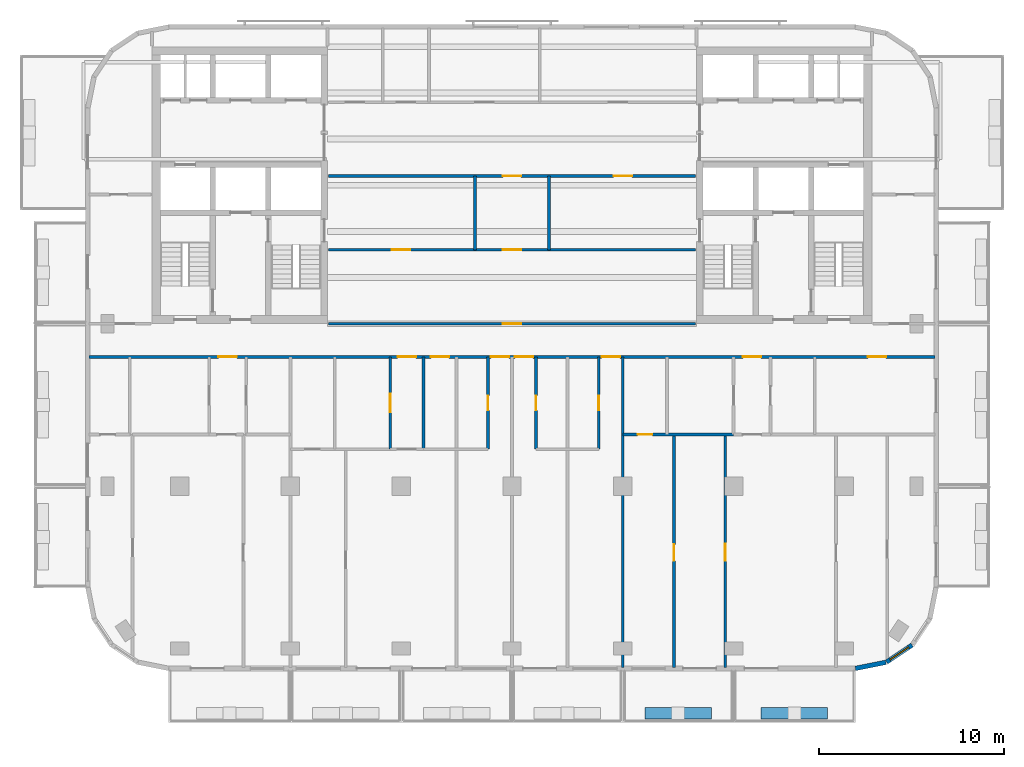
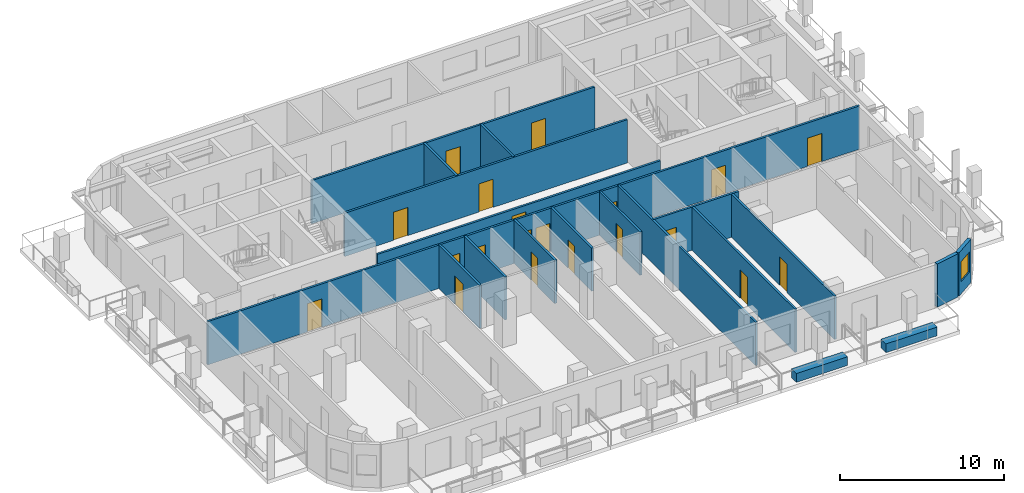
# One storey, part 4 of 11: 20 doors, 19 walls, 1 window, 21 openings.
"""IFC4 building model written with IfcOpenShell, lengths in metres."""

from ifc_helpers import new_model, si_unit, direction, frame, frame_2d, origin, place, context, subcontext, project, spatial, rectangle, extrude, material, layer, layer_set, type_object, element, fill, save


model = new_model("IFC4")

# Units and contexts
model_context = context("Model", 3, precision=1e-05, world=origin(), true_north=direction((0.0, 1.0)))
body_context = subcontext(model_context, "Body", "Model", "MODEL_VIEW")
ifc_project = project(units=[si_unit("LENGTHUNIT", "METRE"), si_unit("AREAUNIT", "SQUARE_METRE"), si_unit("VOLUMEUNIT", "CUBIC_METRE"), si_unit("PLANEANGLEUNIT", "RADIAN"), si_unit("MASSUNIT", "GRAM", prefix="KILO")], contexts=[model_context])

# Site, building, storey
site_placement = place(None, origin())
site = spatial("IfcSite", under=ifc_project, at=site_placement, CompositionType="ELEMENT")
building_placement = place(site_placement, origin())
building = spatial("IfcBuilding", under=site, at=building_placement, Name="Torana Hotel and Residences", CompositionType="ELEMENT")
storey_placement = place(building_placement, frame((0.0, 0.0, 287.60009765625)))
storey = spatial("IfcBuildingStorey", under=building, at=storey_placement, Name="L76", CompositionType="ELEMENT", Elevation=287.60009765625)

# Wall
ifc_material_1 = material(Name="Black aluminium composite panel", Category="aluminium")
ifc_layer_1 = layer(ifc_material_1, 0.00390625, Name="Cladding", Category="cladding")
ifc_material_2 = material(Name="Ventilated air cavity")
ifc_layer_2 = layer(ifc_material_2, 0.0400390625, Name="Ventilated cavity", Category="cavity")
ifc_material_3 = material(Name="Mineral wool insulation")
ifc_layer_3 = layer(ifc_material_3, 0.090087890625, Name="Insulation", Category="insulation")
ifc_material_4 = material(Name="Steel S280GD", Category="steel")
ifc_layer_4 = layer(ifc_material_4, 0.092041015625, Name="Steel stud frame", Category="structure")
ifc_material_5 = material(Name="Fire rated plasterboard")
ifc_layer_5 = layer(ifc_material_5, 0.011962890625, Name="Inner board", Category="finish")
ifc_layer_6 = layer(ifc_material_5, 0.011962890625, Name="Second board", Category="finish")
ifc_layer_set_1 = layer_set([ifc_layer_1, ifc_layer_2, ifc_layer_3, ifc_layer_4, ifc_layer_5, ifc_layer_6], Name="EW1 EXTERNAL WALL BLACK METAL CLAD 250")
wall_type_1 = type_object("IfcWallType", Name="EW1 EXTERNAL WALL BLACK METAL CLAD 250", PredefinedType="SOLIDWALL", material=ifc_layer_set_1)
wall_1_placement = place(storey_placement, frame((18.599853515625, -33.672607421875, 0.0), z_axis=(0.0, 0.0, 1.0), x_axis=(0.980770110232, 0.195166572128, 0.0)))
element("IfcWall", 1, at=wall_1_placement, inside=storey, type_object=wall_type_1, Name="External wall L76 e0.15", PredefinedType="SOLIDWALL", context=body_context, shape_type="SweptSolid", body=[
    extrude(rectangle(XDim=1.68115234375, YDim=0.25, at=frame_2d((0.840576171875, 0.0))), origin(), (0.0, 0.0, 1.0), 3.219970703125),
])

# Wall, opening, window
wall_2_placement = place(storey_placement, frame((20.2939453125, -33.325927734375, 0.0), z_axis=(0.0, 0.0, 1.0), x_axis=(0.831482937015, 0.55555029066, 0.0)))
wall_2 = element("IfcWall", 2, at=wall_2_placement, inside=storey, type_object=wall_type_1, Name="External wall L76 e0.16", PredefinedType="SOLIDWALL", context=body_context, shape_type="SweptSolid", body=[
    extrude(rectangle(XDim=1.65625, YDim=0.25, at=frame_2d((0.828125, 0.0))), origin(), (0.0, 0.0, 1.0), 3.219970703125),
])
opening_1_placement = place(wall_2_placement, frame((0.228271484375, 0.0, 0.89990234375)))
opening_1 = element("IfcOpeningElement", 3, at=opening_1_placement, cuts=wall_2, Name="Opening W5", PredefinedType="OPENING", context=body_context, shape_type="SweptSolid", body=[
    extrude(rectangle(XDim=1.199951171875, YDim=1.5, at=frame_2d((0.60009765625, 0.75))), frame((0.0, 0.135009765625, 0.0), z_axis=(0.0, -1.0, 0.0), x_axis=(1.0, 0.0, 0.0)), (0.0, 0.0, 1.0), 0.27001953125),
])
ifc_material_6 = material(Name="Dark glass in black aluminium frame", Category="aluminium")
window_type = type_object("IfcWindowType", Name="W5 CORNER FACET WINDOW 1200x1500", PartitioningType="SINGLE_PANEL", PredefinedType="WINDOW", material=ifc_material_6)
window_placement = place(opening_1_placement, origin())
window = element("IfcWindow", 4, at=window_placement, inside=storey, type_object=window_type, Name="Window L76 e0.16", OverallHeight=1.5, OverallWidth=1.199951171875, PartitioningType="SINGLE_PANEL", PredefinedType="WINDOW", context=body_context, shape_type="SweptSolid", body=[
    extrude(rectangle(XDim=1.199951171875, YDim=1.5, at=frame_2d((0.60009765625, 0.75))), frame((0.0, 0.030029296875, 0.0), z_axis=(0.0, -1.0, 0.0), x_axis=(1.0, 0.0, 0.0)), (0.0, 0.0, 1.0), 0.06005859375),
])
fill(opening_1, window)

# Walls
ifc_material_7 = material(Name="Gypsum plaster")
ifc_layer_7 = layer(ifc_material_7, 0.014892578125, Name="Plaster", Category="finish")
ifc_material_8 = material(Name="Concrete blockwork", Category="masonry")
ifc_layer_8 = layer(ifc_material_8, 0.1201171875, Name="Blockwork", Category="structure")
ifc_layer_9 = layer(ifc_material_7, 0.014892578125, Name="Plaster", Category="finish")
ifc_layer_set_2 = layer_set([ifc_layer_7, ifc_layer_8, ifc_layer_9], Name="FIRE PARTITION 150 BLOCKWORK")
wall_type_2 = type_object("IfcWallType", Name="FIRE PARTITION 150 BLOCKWORK", PredefinedType="PARTITIONING", material=ifc_layer_set_2)
for number, where, z_axis, x_axis, name in (
    (5, (2.0, -11.0, 0.0), (0.0, 0.0, 1.0), (0.0, 1.0, 0.0), "Partition L76"),
    (6, (-2.0, -11.0, 0.0), (0.0, 0.0, 1.0), (0.0, 1.0, 0.0), "Partition L76"),
):
    element("IfcWall", number, at=place(storey_placement, frame(where, z_axis=z_axis, x_axis=x_axis)), inside=storey, type_object=wall_type_2, Name=name, PredefinedType="PARTITIONING", context=body_context, shape_type="SweptSolid", body=[
        extrude(rectangle(XDim=4.0, YDim=0.14990234375, at=frame_2d((2.0, 0.0))), origin(), (0.0, 0.0, 1.0), 3.219970703125),
    ])
wall_3_placement = place(storey_placement, frame((-4.800048828125, -21.800048828125, 0.0), z_axis=(0.0, 0.0, 1.0), x_axis=(0.0, 1.0, 0.0)))
element("IfcWall", 7, at=wall_3_placement, inside=storey, type_object=wall_type_2, Name="Partition L76", PredefinedType="PARTITIONING", context=body_context, shape_type="SweptSolid", body=[
    extrude(rectangle(XDim=5.0, YDim=0.14990234375, at=frame_2d((2.5, 0.0))), origin(), (0.0, 0.0, 1.0), 3.219970703125),
])

# Wall, opening, door
wall_4_placement = place(storey_placement, frame((-6.60009765625, -21.800048828125, 0.0), z_axis=(0.0, 0.0, 1.0), x_axis=(0.0, 1.0, 0.0)))
wall_4 = element("IfcWall", 8, at=wall_4_placement, inside=storey, type_object=wall_type_2, Name="Partition L76", PredefinedType="PARTITIONING", context=body_context, shape_type="SweptSolid", body=[
    extrude(rectangle(XDim=5.0, YDim=0.14990234375, at=frame_2d((2.5, 0.0))), origin(), (0.0, 0.0, 1.0), 3.219970703125),
])
opening_2_placement = place(wall_4_placement, frame((2.0, 0.0, 0.0)))
opening_2 = element("IfcOpeningElement", 9, at=opening_2_placement, cuts=wall_4, Name="Opening L76-39", PredefinedType="OPENING", context=body_context, shape_type="SweptSolid", body=[
    extrude(rectangle(XDim=1.0, YDim=2.10009765625, at=frame_2d((0.5, 1.050048828125))), frame((0.0, 0.0849609375, 0.0), z_axis=(0.0, -1.0, 0.0), x_axis=(1.0, 0.0, 0.0)), (0.0, 0.0, 1.0), 0.169921875),
])
ifc_material_9 = material(Name="Steel S235", Category="steel")
door_type_1 = type_object("IfcDoorType", Name="ENTRY FIRE DOOR D6 1000x2100", OperationType="SINGLE_SWING_LEFT", PredefinedType="DOOR", material=ifc_material_9)
door_1_placement = place(opening_2_placement, origin())
door_1 = element("IfcDoor", 10, at=door_1_placement, inside=storey, type_object=door_type_1, Name="Door L76", OperationType="SINGLE_SWING_RIGHT", OverallHeight=2.10009765625, OverallWidth=1.0, PredefinedType="DOOR", context=body_context, shape_type="SweptSolid", body=[
    extrude(rectangle(XDim=1.0, YDim=2.10009765625, at=frame_2d((0.5, 1.050048828125))), frame((0.0, 0.02490234375, 0.0), z_axis=(0.0, -1.0, 0.0), x_axis=(1.0, 0.0, 0.0)), (0.0, 0.0, 1.0), 0.050048828125),
])
fill(opening_2, door_1)

# Wall, openings, doors
wall_5_placement = place(storey_placement, frame((-22.919921875, -16.800048828125, 0.0), z_axis=(0.0, 0.0, 1.0), x_axis=(1.0, 0.0, 0.0)))
wall_5 = element("IfcWall", 11, at=wall_5_placement, inside=storey, type_object=wall_type_2, Name="Partition L76", PredefinedType="PARTITIONING", context=body_context, shape_type="SweptSolid", body=[
    extrude(rectangle(XDim=45.83984375, YDim=0.14990234375, at=frame_2d((22.919921875, 0.0))), origin(), (0.0, 0.0, 1.0), 3.219970703125),
])
opening_3_placement = place(wall_5_placement, frame((16.719970703125, 0.0, 0.0)))
opening_3 = element("IfcOpeningElement", 12, at=opening_3_placement, cuts=wall_5, Name="Opening L76-20", PredefinedType="OPENING", context=body_context, shape_type="SweptSolid", body=[
    extrude(rectangle(XDim=1.0, YDim=2.10009765625, at=frame_2d((0.5, 1.050048828125))), frame((0.0, 0.0849609375, 0.0), z_axis=(0.0, -1.0, 0.0), x_axis=(1.0, 0.0, 0.0)), (0.0, 0.0, 1.0), 0.169921875),
])
opening_4_placement = place(wall_5_placement, frame((18.52001953125, 0.0, 0.0)))
opening_4 = element("IfcOpeningElement", 13, at=opening_4_placement, cuts=wall_5, Name="Opening L76-21", PredefinedType="OPENING", context=body_context, shape_type="SweptSolid", body=[
    extrude(rectangle(XDim=1.0, YDim=2.10009765625, at=frame_2d((0.5, 1.050048828125))), frame((0.0, 0.0849609375, 0.0), z_axis=(0.0, -1.0, 0.0), x_axis=(1.0, 0.0, 0.0)), (0.0, 0.0, 1.0), 0.169921875),
])
opening_5_placement = place(wall_5_placement, frame((21.77001953125, 0.0, 0.0)))
opening_5 = element("IfcOpeningElement", 14, at=opening_5_placement, cuts=wall_5, Name="Opening L76-22", PredefinedType="OPENING", context=body_context, shape_type="SweptSolid", body=[
    extrude(rectangle(XDim=1.0, YDim=2.10009765625, at=frame_2d((0.5, 1.050048828125))), frame((0.0, 0.0849609375, 0.0), z_axis=(0.0, -1.0, 0.0), x_axis=(1.0, 0.0, 0.0)), (0.0, 0.0, 1.0), 0.169921875),
])
opening_6_placement = place(wall_5_placement, frame((23.070068359375, 0.0, 0.0)))
opening_6 = element("IfcOpeningElement", 15, at=opening_6_placement, cuts=wall_5, Name="Opening L76-23", PredefinedType="OPENING", context=body_context, shape_type="SweptSolid", body=[
    extrude(rectangle(XDim=1.0, YDim=2.10009765625, at=frame_2d((0.5, 1.050048828125))), frame((0.0, 0.0849609375, 0.0), z_axis=(0.0, -1.0, 0.0), x_axis=(1.0, 0.0, 0.0)), (0.0, 0.0, 1.0), 0.169921875),
])
opening_7_placement = place(wall_5_placement, frame((27.77001953125, 0.0, 0.0)))
opening_7 = element("IfcOpeningElement", 16, at=opening_7_placement, cuts=wall_5, Name="Opening L76-24", PredefinedType="OPENING", context=body_context, shape_type="SweptSolid", body=[
    extrude(rectangle(XDim=1.0, YDim=2.10009765625, at=frame_2d((0.5, 1.050048828125))), frame((0.0, 0.0849609375, 0.0), z_axis=(0.0, -1.0, 0.0), x_axis=(1.0, 0.0, 0.0)), (0.0, 0.0, 1.0), 0.169921875),
])
opening_8_placement = place(wall_5_placement, frame((7.02001953125, 0.0, 0.0)))
opening_8 = element("IfcOpeningElement", 17, at=opening_8_placement, cuts=wall_5, Name="Opening L76-25", PredefinedType="OPENING", context=body_context, shape_type="SweptSolid", body=[
    extrude(rectangle(XDim=1.0, YDim=2.10009765625, at=frame_2d((0.5, 1.050048828125))), frame((0.0, 0.0849609375, 0.0), z_axis=(0.0, -1.0, 0.0), x_axis=(1.0, 0.0, 0.0)), (0.0, 0.0, 1.0), 0.169921875),
])
opening_9_placement = place(wall_5_placement, frame((35.419921875, 0.0, 0.0)))
opening_9 = element("IfcOpeningElement", 18, at=opening_9_placement, cuts=wall_5, Name="Opening L76-26", PredefinedType="OPENING", context=body_context, shape_type="SweptSolid", body=[
    extrude(rectangle(XDim=1.0, YDim=2.10009765625, at=frame_2d((0.5, 1.050048828125))), frame((0.0, 0.0849609375, 0.0), z_axis=(0.0, -1.0, 0.0), x_axis=(1.0, 0.0, 0.0)), (0.0, 0.0, 1.0), 0.169921875),
])
opening_10_placement = place(wall_5_placement, frame((42.18994140625, 0.0, 0.0)))
opening_10 = element("IfcOpeningElement", 19, at=opening_10_placement, cuts=wall_5, Name="Opening L76-27", PredefinedType="OPENING", context=body_context, shape_type="SweptSolid", body=[
    extrude(rectangle(XDim=1.0, YDim=2.10009765625, at=frame_2d((0.5, 1.050048828125))), frame((0.0, 0.0849609375, 0.0), z_axis=(0.0, -1.0, 0.0), x_axis=(1.0, 0.0, 0.0)), (0.0, 0.0, 1.0), 0.169921875),
])
door_2_placement = place(opening_3_placement, origin())
door_2 = element("IfcDoor", 20, at=door_2_placement, inside=storey, type_object=door_type_1, Name="Door L76", OperationType="SINGLE_SWING_RIGHT", OverallHeight=2.10009765625, OverallWidth=1.0, PredefinedType="DOOR", context=body_context, shape_type="SweptSolid", body=[
    extrude(rectangle(XDim=1.0, YDim=2.10009765625, at=frame_2d((0.5, 1.050048828125))), frame((0.0, 0.02490234375, 0.0), z_axis=(0.0, -1.0, 0.0), x_axis=(1.0, 0.0, 0.0)), (0.0, 0.0, 1.0), 0.050048828125),
])
fill(opening_3, door_2)
door_3_placement = place(opening_4_placement, frame((0.5, 0.0, 0.0), z_axis=(0.0, 0.0, 1.0), x_axis=(-1.0, 0.0, 0.0)))
door_3 = element("IfcDoor", 21, at=door_3_placement, inside=storey, type_object=door_type_1, Name="Door L76", OperationType="SINGLE_SWING_LEFT", OverallHeight=2.10009765625, OverallWidth=1.0, PredefinedType="DOOR", context=body_context, shape_type="SweptSolid", body=[
    extrude(rectangle(XDim=1.0, YDim=2.10009765625, at=frame_2d((0.0, 1.050048828125))), frame((0.0, -0.02490234375, 0.0), z_axis=(0.0, 1.0, 0.0), x_axis=(-1.0, 0.0, 0.0)), (0.0, 0.0, 1.0), 0.050048828125),
])
fill(opening_4, door_3)
door_4_placement = place(opening_5_placement, frame((0.5, 0.0, 0.0), z_axis=(0.0, 0.0, 1.0), x_axis=(-1.0, 0.0, 0.0)))
door_4 = element("IfcDoor", 22, at=door_4_placement, inside=storey, type_object=door_type_1, Name="Door L76", OperationType="SINGLE_SWING_LEFT", OverallHeight=2.10009765625, OverallWidth=1.0, PredefinedType="DOOR", context=body_context, shape_type="SweptSolid", body=[
    extrude(rectangle(XDim=1.0, YDim=2.10009765625, at=frame_2d((0.0, 1.050048828125))), frame((0.0, -0.02490234375, 0.0), z_axis=(0.0, 1.0, 0.0), x_axis=(-1.0, 0.0, 0.0)), (0.0, 0.0, 1.0), 0.050048828125),
])
fill(opening_5, door_4)
door_5_placement = place(opening_6_placement, frame((0.5, 0.0, 0.0), z_axis=(0.0, 0.0, 1.0), x_axis=(-1.0, 0.0, 0.0)))
door_5 = element("IfcDoor", 23, at=door_5_placement, inside=storey, type_object=door_type_1, Name="Door L76", OperationType="SINGLE_SWING_LEFT", OverallHeight=2.10009765625, OverallWidth=1.0, PredefinedType="DOOR", context=body_context, shape_type="SweptSolid", body=[
    extrude(rectangle(XDim=1.0, YDim=2.10009765625, at=frame_2d((0.0, 1.050048828125))), frame((0.0, -0.02490234375, 0.0), z_axis=(0.0, 1.0, 0.0), x_axis=(-1.0, 0.0, 0.0)), (0.0, 0.0, 1.0), 0.050048828125),
])
fill(opening_6, door_5)
door_6_placement = place(opening_7_placement, frame((0.5, 0.0, 0.0), z_axis=(0.0, 0.0, 1.0), x_axis=(-1.0, 0.0, 0.0)))
door_6 = element("IfcDoor", 24, at=door_6_placement, inside=storey, type_object=door_type_1, Name="Door L76", OperationType="SINGLE_SWING_LEFT", OverallHeight=2.10009765625, OverallWidth=1.0, PredefinedType="DOOR", context=body_context, shape_type="SweptSolid", body=[
    extrude(rectangle(XDim=1.0, YDim=2.10009765625, at=frame_2d((0.0, 1.050048828125))), frame((0.0, -0.02490234375, 0.0), z_axis=(0.0, 1.0, 0.0), x_axis=(-1.0, 0.0, 0.0)), (0.0, 0.0, 1.0), 0.050048828125),
])
fill(opening_7, door_6)
door_7_placement = place(opening_8_placement, origin())
door_7 = element("IfcDoor", 25, at=door_7_placement, inside=storey, type_object=door_type_1, Name="Door L76", OperationType="SINGLE_SWING_RIGHT", OverallHeight=2.10009765625, OverallWidth=1.0, PredefinedType="DOOR", context=body_context, shape_type="SweptSolid", body=[
    extrude(rectangle(XDim=1.0, YDim=2.10009765625, at=frame_2d((0.5, 1.050048828125))), frame((0.0, 0.02490234375, 0.0), z_axis=(0.0, -1.0, 0.0), x_axis=(1.0, 0.0, 0.0)), (0.0, 0.0, 1.0), 0.050048828125),
])
fill(opening_8, door_7)
door_8_placement = place(opening_9_placement, origin())
door_8 = element("IfcDoor", 26, at=door_8_placement, inside=storey, type_object=door_type_1, Name="Door L76", OperationType="SINGLE_SWING_RIGHT", OverallHeight=2.10009765625, OverallWidth=1.0, PredefinedType="DOOR", context=body_context, shape_type="SweptSolid", body=[
    extrude(rectangle(XDim=1.0, YDim=2.10009765625, at=frame_2d((0.5, 1.050048828125))), frame((0.0, 0.02490234375, 0.0), z_axis=(0.0, -1.0, 0.0), x_axis=(1.0, 0.0, 0.0)), (0.0, 0.0, 1.0), 0.050048828125),
])
fill(opening_9, door_8)
door_9_placement = place(opening_10_placement, frame((0.5, 0.0, 0.0), z_axis=(0.0, 0.0, 1.0), x_axis=(-1.0, 0.0, 0.0)))
door_9 = element("IfcDoor", 27, at=door_9_placement, inside=storey, type_object=door_type_1, Name="Door L76", OperationType="SINGLE_SWING_LEFT", OverallHeight=2.10009765625, OverallWidth=1.0, PredefinedType="DOOR", context=body_context, shape_type="SweptSolid", body=[
    extrude(rectangle(XDim=1.0, YDim=2.10009765625, at=frame_2d((0.0, 1.050048828125))), frame((0.0, -0.02490234375, 0.0), z_axis=(0.0, 1.0, 0.0), x_axis=(-1.0, 0.0, 0.0)), (0.0, 0.0, 1.0), 0.050048828125),
])
fill(opening_10, door_9)

# Wall, opening, door
wall_6_placement = place(storey_placement, frame((-9.949951171875, -15.0, 0.0), z_axis=(0.0, 0.0, 1.0), x_axis=(1.0, 0.0, 0.0)))
wall_6 = element("IfcWall", 28, at=wall_6_placement, inside=storey, type_object=wall_type_2, Name="Partition L76", PredefinedType="PARTITIONING", context=body_context, shape_type="SweptSolid", body=[
    extrude(rectangle(XDim=19.89990234375, YDim=0.14990234375, at=frame_2d((9.949951171875, 0.0))), origin(), (0.0, 0.0, 1.0), 2.583984375),
])
opening_11_placement = place(wall_6_placement, frame((9.449951171875, 0.0, 0.0)))
opening_11 = element("IfcOpeningElement", 29, at=opening_11_placement, cuts=wall_6, Name="Opening L76-19", PredefinedType="OPENING", context=body_context, shape_type="SweptSolid", body=[
    extrude(rectangle(XDim=1.0, YDim=2.10009765625, at=frame_2d((0.5, 1.050048828125))), frame((0.0, 0.0849609375, 0.0), z_axis=(0.0, -1.0, 0.0), x_axis=(1.0, 0.0, 0.0)), (0.0, 0.0, 1.0), 0.169921875),
])
door_10_placement = place(opening_11_placement, origin())
door_10 = element("IfcDoor", 30, at=door_10_placement, inside=storey, type_object=door_type_1, Name="Door L76", OperationType="SINGLE_SWING_RIGHT", OverallHeight=2.10009765625, OverallWidth=1.0, PredefinedType="DOOR", context=body_context, shape_type="SweptSolid", body=[
    extrude(rectangle(XDim=1.0, YDim=2.10009765625, at=frame_2d((0.5, 1.050048828125))), frame((0.0, 0.02490234375, 0.0), z_axis=(0.0, -1.0, 0.0), x_axis=(1.0, 0.0, 0.0)), (0.0, 0.0, 1.0), 0.050048828125),
])
fill(opening_11, door_10)

# Wall, openings, doors
wall_7_placement = place(storey_placement, frame((-9.949951171875, -11.0, 0.0), z_axis=(0.0, 0.0, 1.0), x_axis=(1.0, 0.0, 0.0)))
wall_7 = element("IfcWall", 31, at=wall_7_placement, inside=storey, type_object=wall_type_2, Name="Partition L76", PredefinedType="PARTITIONING", context=body_context, shape_type="SweptSolid", body=[
    extrude(rectangle(XDim=19.89990234375, YDim=0.14990234375, at=frame_2d((9.949951171875, 0.0))), origin(), (0.0, 0.0, 1.0), 3.219970703125),
])
opening_12_placement = place(wall_7_placement, frame((9.449951171875, 0.0, 0.0)))
opening_12 = element("IfcOpeningElement", 32, at=opening_12_placement, cuts=wall_7, Name="Opening L76-30", PredefinedType="OPENING", context=body_context, shape_type="SweptSolid", body=[
    extrude(rectangle(XDim=1.0, YDim=2.10009765625, at=frame_2d((0.5, 1.050048828125))), frame((0.0, 0.0849609375, 0.0), z_axis=(0.0, -1.0, 0.0), x_axis=(1.0, 0.0, 0.0)), (0.0, 0.0, 1.0), 0.169921875),
])
opening_13_placement = place(wall_7_placement, frame((3.449951171875, 0.0, 0.0)))
opening_13 = element("IfcOpeningElement", 33, at=opening_13_placement, cuts=wall_7, Name="Opening L76-31", PredefinedType="OPENING", context=body_context, shape_type="SweptSolid", body=[
    extrude(rectangle(XDim=1.0, YDim=2.10009765625, at=frame_2d((0.5, 1.050048828125))), frame((0.0, 0.0849609375, 0.0), z_axis=(0.0, -1.0, 0.0), x_axis=(1.0, 0.0, 0.0)), (0.0, 0.0, 1.0), 0.169921875),
])
door_11_placement = place(opening_12_placement, origin())
door_11 = element("IfcDoor", 34, at=door_11_placement, inside=storey, type_object=door_type_1, Name="Door L76", OperationType="SINGLE_SWING_RIGHT", OverallHeight=2.10009765625, OverallWidth=1.0, PredefinedType="DOOR", context=body_context, shape_type="SweptSolid", body=[
    extrude(rectangle(XDim=1.0, YDim=2.10009765625, at=frame_2d((0.5, 1.050048828125))), frame((0.0, 0.02490234375, 0.0), z_axis=(0.0, -1.0, 0.0), x_axis=(1.0, 0.0, 0.0)), (0.0, 0.0, 1.0), 0.050048828125),
])
fill(opening_12, door_11)
door_12_placement = place(opening_13_placement, origin())
door_12 = element("IfcDoor", 35, at=door_12_placement, inside=storey, type_object=door_type_1, Name="Door L76", OperationType="SINGLE_SWING_RIGHT", OverallHeight=2.10009765625, OverallWidth=1.0, PredefinedType="DOOR", context=body_context, shape_type="SweptSolid", body=[
    extrude(rectangle(XDim=1.0, YDim=2.10009765625, at=frame_2d((0.5, 1.050048828125))), frame((0.0, 0.02490234375, 0.0), z_axis=(0.0, -1.0, 0.0), x_axis=(1.0, 0.0, 0.0)), (0.0, 0.0, 1.0), 0.050048828125),
])
fill(opening_13, door_12)

wall_8_placement = place(storey_placement, frame((-9.949951171875, -7.0, 0.0), z_axis=(0.0, 0.0, 1.0), x_axis=(1.0, 0.0, 0.0)))
wall_8 = element("IfcWall", 36, at=wall_8_placement, inside=storey, type_object=wall_type_2, Name="Partition L76", PredefinedType="PARTITIONING", context=body_context, shape_type="SweptSolid", body=[
    extrude(rectangle(XDim=19.89990234375, YDim=0.14990234375, at=frame_2d((9.949951171875, 0.0))), origin(), (0.0, 0.0, 1.0), 3.219970703125),
])
opening_14_placement = place(wall_8_placement, frame((9.449951171875, 0.0, 0.0)))
opening_14 = element("IfcOpeningElement", 37, at=opening_14_placement, cuts=wall_8, Name="Opening L76-32", PredefinedType="OPENING", context=body_context, shape_type="SweptSolid", body=[
    extrude(rectangle(XDim=1.0, YDim=2.10009765625, at=frame_2d((0.5, 1.050048828125))), frame((0.0, 0.0849609375, 0.0), z_axis=(0.0, -1.0, 0.0), x_axis=(1.0, 0.0, 0.0)), (0.0, 0.0, 1.0), 0.169921875),
])
opening_15_placement = place(wall_8_placement, frame((15.449951171875, 0.0, 0.0)))
opening_15 = element("IfcOpeningElement", 38, at=opening_15_placement, cuts=wall_8, Name="Opening L76-33", PredefinedType="OPENING", context=body_context, shape_type="SweptSolid", body=[
    extrude(rectangle(XDim=1.0, YDim=2.10009765625, at=frame_2d((0.5, 1.050048828125))), frame((0.0, 0.0849609375, 0.0), z_axis=(0.0, -1.0, 0.0), x_axis=(1.0, 0.0, 0.0)), (0.0, 0.0, 1.0), 0.169921875),
])
door_13_placement = place(opening_14_placement, origin())
door_13 = element("IfcDoor", 39, at=door_13_placement, inside=storey, type_object=door_type_1, Name="Door L76", OperationType="SINGLE_SWING_RIGHT", OverallHeight=2.10009765625, OverallWidth=1.0, PredefinedType="DOOR", context=body_context, shape_type="SweptSolid", body=[
    extrude(rectangle(XDim=1.0, YDim=2.10009765625, at=frame_2d((0.5, 1.050048828125))), frame((0.0, 0.02490234375, 0.0), z_axis=(0.0, -1.0, 0.0), x_axis=(1.0, 0.0, 0.0)), (0.0, 0.0, 1.0), 0.050048828125),
])
fill(opening_14, door_13)
door_14_placement = place(opening_15_placement, frame((0.5, 0.0, 0.0), z_axis=(0.0, 0.0, 1.0), x_axis=(-1.0, 0.0, 0.0)))
door_14 = element("IfcDoor", 40, at=door_14_placement, inside=storey, type_object=door_type_1, Name="Door L76", OperationType="SINGLE_SWING_LEFT", OverallHeight=2.10009765625, OverallWidth=1.0, PredefinedType="DOOR", context=body_context, shape_type="SweptSolid", body=[
    extrude(rectangle(XDim=1.0, YDim=2.10009765625, at=frame_2d((0.0, 1.050048828125))), frame((0.0, -0.02490234375, 0.0), z_axis=(0.0, 1.0, 0.0), x_axis=(-1.0, 0.0, 0.0)), (0.0, 0.0, 1.0), 0.050048828125),
])
fill(opening_15, door_14)

# Wall, opening, door
ifc_material_10 = material(Name="Gypsum plasterboard")
ifc_layer_10 = layer(ifc_material_10, 0.012451171875, Name="Plasterboard", Category="finish")
ifc_layer_11 = layer(ifc_material_10, 0.012451171875, Name="Plasterboard", Category="finish")
ifc_layer_12 = layer(ifc_material_4, 0.10009765625, Name="Steel studs with mineral wool", Category="insulation")
ifc_layer_13 = layer(ifc_material_10, 0.012451171875, Name="Plasterboard", Category="finish")
ifc_layer_14 = layer(ifc_material_10, 0.012451171875, Name="Plasterboard", Category="finish")
ifc_layer_set_3 = layer_set([ifc_layer_10, ifc_layer_11, ifc_layer_12, ifc_layer_13, ifc_layer_14], Name="PARTITION 150 PLASTERBOARD")
wall_type_3 = type_object("IfcWallType", Name="PARTITION 150 PLASTERBOARD", PredefinedType="PARTITIONING", material=ifc_layer_set_3)
wall_9_placement = place(storey_placement, frame((11.550048828125, -33.6201171875, 0.0), z_axis=(0.0, 0.0, 1.0), x_axis=(0.0, 1.0, 0.0)))
wall_9 = element("IfcWall", 41, at=wall_9_placement, inside=storey, type_object=wall_type_3, Name="Partition L76", PredefinedType="PARTITIONING", context=body_context, shape_type="SweptSolid", body=[
    extrude(rectangle(XDim=12.6201171875, YDim=0.14990234375, at=frame_2d((6.31005859375, 0.0))), origin(), (0.0, 0.0, 1.0), 3.219970703125),
])
opening_16_placement = place(wall_9_placement, frame((5.7900390625, 0.0, 0.0)))
opening_16 = element("IfcOpeningElement", 42, at=opening_16_placement, cuts=wall_9, Name="Opening L76-55", PredefinedType="OPENING", context=body_context, shape_type="SweptSolid", body=[
    extrude(rectangle(XDim=0.89990234375, YDim=2.10009765625, at=frame_2d((0.449951171875, 1.050048828125))), frame((0.0, 0.0849609375, 0.0), z_axis=(0.0, -1.0, 0.0), x_axis=(1.0, 0.0, 0.0)), (0.0, 0.0, 1.0), 0.169921875),
])
ifc_material_11 = material(Name="Timber door, oiled ash", Category="wood")
door_type_2 = type_object("IfcDoorType", Name="ROOM DOOR D7 900x2100", OperationType="SINGLE_SWING_LEFT", PredefinedType="DOOR", material=ifc_material_11)
door_15_placement = place(opening_16_placement, origin())
door_15 = element("IfcDoor", 43, at=door_15_placement, inside=storey, type_object=door_type_2, Name="Door L76", OperationType="SINGLE_SWING_RIGHT", OverallHeight=2.10009765625, OverallWidth=0.89990234375, PredefinedType="DOOR", context=body_context, shape_type="SweptSolid", body=[
    extrude(rectangle(XDim=0.89990234375, YDim=2.10009765625, at=frame_2d((0.449951171875, 1.050048828125))), frame((0.0, 0.02490234375, 0.0), z_axis=(0.0, -1.0, 0.0), x_axis=(1.0, 0.0, 0.0)), (0.0, 0.0, 1.0), 0.050048828125),
])
fill(opening_16, door_15)

wall_10_placement = place(storey_placement, frame((8.77490234375, -33.6201171875, 0.0), z_axis=(0.0, 0.0, 1.0), x_axis=(0.0, 1.0, 0.0)))
wall_10 = element("IfcWall", 44, at=wall_10_placement, inside=storey, type_object=wall_type_3, Name="Partition L76", PredefinedType="PARTITIONING", context=body_context, shape_type="SweptSolid", body=[
    extrude(rectangle(XDim=12.6201171875, YDim=0.14990234375, at=frame_2d((6.31005859375, 0.0))), origin(), (0.0, 0.0, 1.0), 3.219970703125),
])
opening_17_placement = place(wall_10_placement, frame((5.77001953125, 0.0, 0.0)))
opening_17 = element("IfcOpeningElement", 45, at=opening_17_placement, cuts=wall_10, Name="Opening L76-57", PredefinedType="OPENING", context=body_context, shape_type="SweptSolid", body=[
    extrude(rectangle(XDim=0.89990234375, YDim=2.10009765625, at=frame_2d((0.449951171875, 1.050048828125))), frame((0.0, 0.0849609375, 0.0), z_axis=(0.0, -1.0, 0.0), x_axis=(1.0, 0.0, 0.0)), (0.0, 0.0, 1.0), 0.169921875),
])
door_16_placement = place(opening_17_placement, origin())
door_16 = element("IfcDoor", 46, at=door_16_placement, inside=storey, type_object=door_type_2, Name="Door L76", OperationType="SINGLE_SWING_RIGHT", OverallHeight=2.10009765625, OverallWidth=0.89990234375, PredefinedType="DOOR", context=body_context, shape_type="SweptSolid", body=[
    extrude(rectangle(XDim=0.89990234375, YDim=2.10009765625, at=frame_2d((0.449951171875, 1.050048828125))), frame((0.0, 0.02490234375, 0.0), z_axis=(0.0, -1.0, 0.0), x_axis=(1.0, 0.0, 0.0)), (0.0, 0.0, 1.0), 0.050048828125),
])
fill(opening_17, door_16)

# Wall
wall_11_placement = place(storey_placement, frame((6.0, -33.6201171875, 0.0), z_axis=(0.0, 0.0, 1.0), x_axis=(0.0, 1.0, 0.0)))
element("IfcWall", 47, at=wall_11_placement, inside=storey, type_object=wall_type_3, Name="Partition L76", PredefinedType="PARTITIONING", context=body_context, shape_type="SweptSolid", body=[
    extrude(rectangle(XDim=16.820068359375, YDim=0.14990234375, at=frame_2d((8.41015625, 0.0))), origin(), (0.0, 0.0, 1.0), 3.219970703125),
])

# Wall, opening, door
wall_12_placement = place(storey_placement, frame((4.699951171875, -21.800048828125, 0.0), z_axis=(0.0, 0.0, 1.0), x_axis=(0.0, 1.0, 0.0)))
wall_12 = element("IfcWall", 48, at=wall_12_placement, inside=storey, type_object=wall_type_3, Name="Partition L76", PredefinedType="PARTITIONING", context=body_context, shape_type="SweptSolid", body=[
    extrude(rectangle(XDim=5.0, YDim=0.14990234375, at=frame_2d((2.5, 0.0))), origin(), (0.0, 0.0, 1.0), 3.219970703125),
])
opening_18_placement = place(wall_12_placement, frame((2.10009765625, 0.0, 0.0)))
opening_18 = element("IfcOpeningElement", 49, at=opening_18_placement, cuts=wall_12, Name="Opening L76-44", PredefinedType="OPENING", context=body_context, shape_type="SweptSolid", body=[
    extrude(rectangle(XDim=0.800048828125, YDim=2.10009765625, at=frame_2d((0.39990234375, 1.050048828125))), frame((0.0, 0.0849609375, 0.0), z_axis=(0.0, -1.0, 0.0), x_axis=(1.0, 0.0, 0.0)), (0.0, 0.0, 1.0), 0.169921875),
])
ifc_material_12 = material(Name="Timber door, painted", Category="wood")
door_type_3 = type_object("IfcDoorType", Name="BATH DOOR D13 800x2100", OperationType="SINGLE_SWING_LEFT", PredefinedType="DOOR", material=ifc_material_12)
door_17_placement = place(opening_18_placement, origin())
door_17 = element("IfcDoor", 50, at=door_17_placement, inside=storey, type_object=door_type_3, Name="Door L76", OperationType="SINGLE_SWING_RIGHT", OverallHeight=2.10009765625, OverallWidth=0.800048828125, PredefinedType="DOOR", context=body_context, shape_type="SweptSolid", body=[
    extrude(rectangle(XDim=0.800048828125, YDim=2.10009765625, at=frame_2d((0.39990234375, 1.050048828125))), frame((0.0, 0.02490234375, 0.0), z_axis=(0.0, -1.0, 0.0), x_axis=(1.0, 0.0, 0.0)), (0.0, 0.0, 1.0), 0.050048828125),
])
fill(opening_18, door_17)

wall_13_placement = place(storey_placement, frame((1.300048828125, -21.800048828125, 0.0), z_axis=(0.0, 0.0, 1.0), x_axis=(0.0, 1.0, 0.0)))
wall_13 = element("IfcWall", 51, at=wall_13_placement, inside=storey, type_object=wall_type_3, Name="Partition L76", PredefinedType="PARTITIONING", context=body_context, shape_type="SweptSolid", body=[
    extrude(rectangle(XDim=5.0, YDim=0.14990234375, at=frame_2d((2.5, 0.0))), origin(), (0.0, 0.0, 1.0), 3.219970703125),
])
opening_19_placement = place(wall_13_placement, frame((2.10009765625, 0.0, 0.0)))
opening_19 = element("IfcOpeningElement", 52, at=opening_19_placement, cuts=wall_13, Name="Opening L76-43", PredefinedType="OPENING", context=body_context, shape_type="SweptSolid", body=[
    extrude(rectangle(XDim=0.800048828125, YDim=2.10009765625, at=frame_2d((0.39990234375, 1.050048828125))), frame((0.0, 0.0849609375, 0.0), z_axis=(0.0, -1.0, 0.0), x_axis=(1.0, 0.0, 0.0)), (0.0, 0.0, 1.0), 0.169921875),
])
door_18_placement = place(opening_19_placement, origin())
door_18 = element("IfcDoor", 53, at=door_18_placement, inside=storey, type_object=door_type_3, Name="Door L76", OperationType="SINGLE_SWING_RIGHT", OverallHeight=2.10009765625, OverallWidth=0.800048828125, PredefinedType="DOOR", context=body_context, shape_type="SweptSolid", body=[
    extrude(rectangle(XDim=0.800048828125, YDim=2.10009765625, at=frame_2d((0.39990234375, 1.050048828125))), frame((0.0, 0.02490234375, 0.0), z_axis=(0.0, -1.0, 0.0), x_axis=(1.0, 0.0, 0.0)), (0.0, 0.0, 1.0), 0.050048828125),
])
fill(opening_19, door_18)

wall_14_placement = place(storey_placement, frame((-1.300048828125, -21.800048828125, 0.0), z_axis=(0.0, 0.0, 1.0), x_axis=(0.0, 1.0, 0.0)))
wall_14 = element("IfcWall", 54, at=wall_14_placement, inside=storey, type_object=wall_type_3, Name="Partition L76", PredefinedType="PARTITIONING", context=body_context, shape_type="SweptSolid", body=[
    extrude(rectangle(XDim=5.0, YDim=0.14990234375, at=frame_2d((2.5, 0.0))), origin(), (0.0, 0.0, 1.0), 3.219970703125),
])
opening_20_placement = place(wall_14_placement, frame((2.10009765625, 0.0, 0.0)))
opening_20 = element("IfcOpeningElement", 55, at=opening_20_placement, cuts=wall_14, Name="Opening L76-42", PredefinedType="OPENING", context=body_context, shape_type="SweptSolid", body=[
    extrude(rectangle(XDim=0.800048828125, YDim=2.10009765625, at=frame_2d((0.39990234375, 1.050048828125))), frame((0.0, 0.0849609375, 0.0), z_axis=(0.0, -1.0, 0.0), x_axis=(1.0, 0.0, 0.0)), (0.0, 0.0, 1.0), 0.169921875),
])
door_19_placement = place(opening_20_placement, origin())
door_19 = element("IfcDoor", 56, at=door_19_placement, inside=storey, type_object=door_type_3, Name="Door L76", OperationType="SINGLE_SWING_RIGHT", OverallHeight=2.10009765625, OverallWidth=0.800048828125, PredefinedType="DOOR", context=body_context, shape_type="SweptSolid", body=[
    extrude(rectangle(XDim=0.800048828125, YDim=2.10009765625, at=frame_2d((0.39990234375, 1.050048828125))), frame((0.0, 0.02490234375, 0.0), z_axis=(0.0, -1.0, 0.0), x_axis=(1.0, 0.0, 0.0)), (0.0, 0.0, 1.0), 0.050048828125),
])
fill(opening_20, door_19)

wall_15_placement = place(storey_placement, frame((6.0, -21.0, 0.0), z_axis=(0.0, 0.0, 1.0), x_axis=(1.0, 0.0, 0.0)))
wall_15 = element("IfcWall", 57, at=wall_15_placement, inside=storey, type_object=wall_type_3, Name="Partition L76", PredefinedType="PARTITIONING", context=body_context, shape_type="SweptSolid", body=[
    extrude(rectangle(XDim=6.0, YDim=0.14990234375, at=frame_2d((3.0, 0.0))), origin(), (0.0, 0.0, 1.0), 3.219970703125),
])
opening_21_placement = place(wall_15_placement, frame((0.800048828125, 0.0, 0.0)))
opening_21 = element("IfcOpeningElement", 58, at=opening_21_placement, cuts=wall_15, Name="Opening L76-51", PredefinedType="OPENING", context=body_context, shape_type="SweptSolid", body=[
    extrude(rectangle(XDim=0.800048828125, YDim=2.10009765625, at=frame_2d((0.39990234375, 1.050048828125))), frame((0.0, 0.0849609375, 0.0), z_axis=(0.0, -1.0, 0.0), x_axis=(1.0, 0.0, 0.0)), (0.0, 0.0, 1.0), 0.169921875),
])
door_20_placement = place(opening_21_placement, origin())
door_20 = element("IfcDoor", 59, at=door_20_placement, inside=storey, type_object=door_type_3, Name="Door L76", OperationType="SINGLE_SWING_RIGHT", OverallHeight=2.10009765625, OverallWidth=0.800048828125, PredefinedType="DOOR", context=body_context, shape_type="SweptSolid", body=[
    extrude(rectangle(XDim=0.800048828125, YDim=2.10009765625, at=frame_2d((0.39990234375, 1.050048828125))), frame((0.0, 0.02490234375, 0.0), z_axis=(0.0, -1.0, 0.0), x_axis=(1.0, 0.0, 0.0)), (0.0, 0.0, 1.0), 0.050048828125),
])
fill(opening_21, door_20)

# Walls
ifc_material_13 = material(Name="Concrete C40/50 precast", Category="concrete")
ifc_layer_15 = layer(ifc_material_13, 0.10009765625, Name="Planter shell", Category="structure")
ifc_material_14 = material(Name="Root resistant membrane")
ifc_layer_16 = layer(ifc_material_14, 0.00390625, Name="Waterproofing membrane", Category="membrane")
ifc_material_15 = material(Name="Drainage board with filter fleece")
ifc_layer_17 = layer(ifc_material_15, 0.02001953125, Name="Drainage board", Category="drainage")
ifc_material_16 = material(Name="Growing medium")
ifc_layer_18 = layer(ifc_material_16, 0.47607421875, Name="Planting substrate", Category="soil")
ifc_layer_set_4 = layer_set([ifc_layer_15, ifc_layer_16, ifc_layer_17, ifc_layer_18], Name="PL1 BALCONY PLANTER 600")
wall_type_4 = type_object("IfcWallType", Name="PL1 BALCONY PLANTER 600", PredefinedType="USERDEFINED", material=ifc_layer_set_4)
for number, where, z_axis, x_axis, name in (
    (60, (10.800048828125, -36.10009765625, 0.0), (0.0, 0.0, 1.0), (-1.0, 0.0, 0.0), "Planter 05"),
    (61, (17.10009765625, -36.10009765625, 0.0), (0.0, 0.0, 1.0), (-1.0, 0.0, 0.0), "Planter 06"),
):
    element("IfcWall", number, at=place(storey_placement, frame(where, z_axis=z_axis, x_axis=x_axis)), inside=storey, type_object=wall_type_4, Name=name, ObjectType="PLANTER", PredefinedType="USERDEFINED", context=body_context, shape_type="SweptSolid", body=[
        extrude(rectangle(XDim=3.60009765625, YDim=0.60009765625, at=frame_2d((1.800048828125, 0.0))), origin(), (0.0, 0.0, 1.0), 0.64990234375),
    ])

save(model, "model.ifc")
